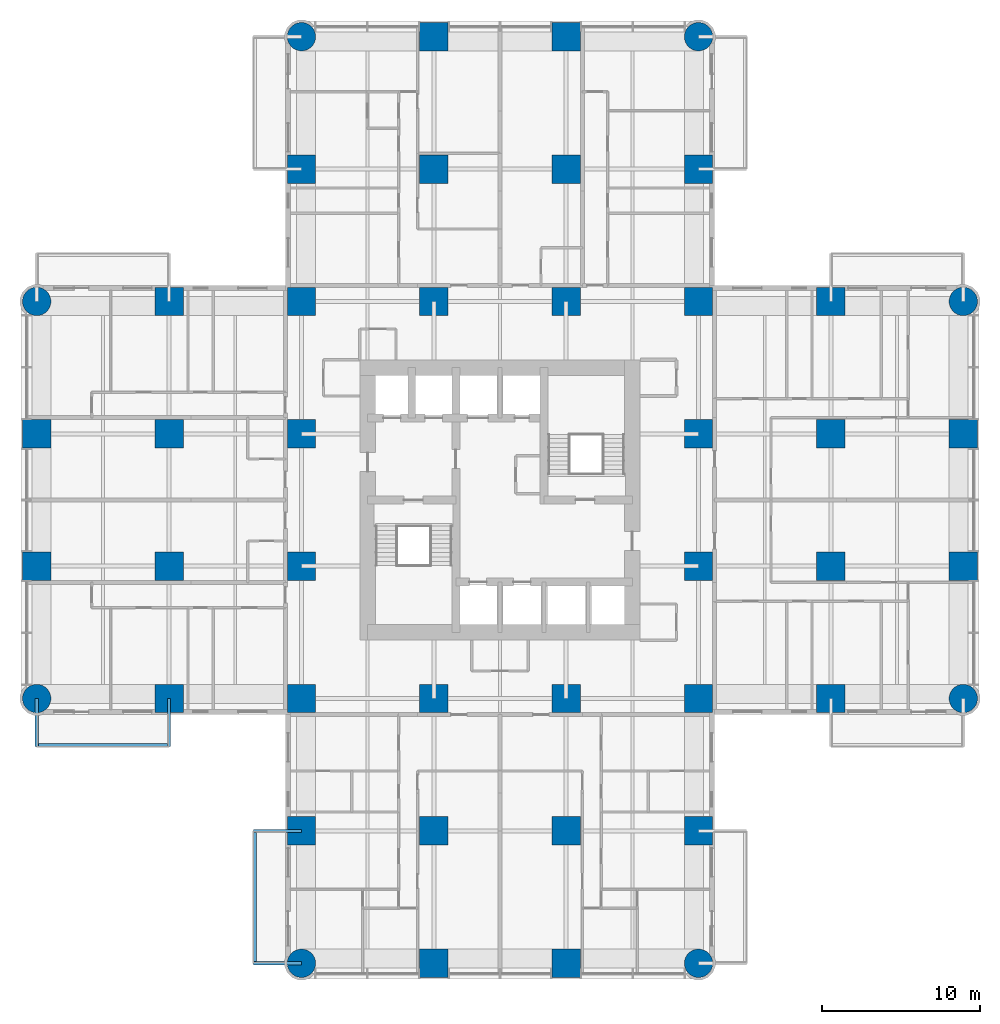
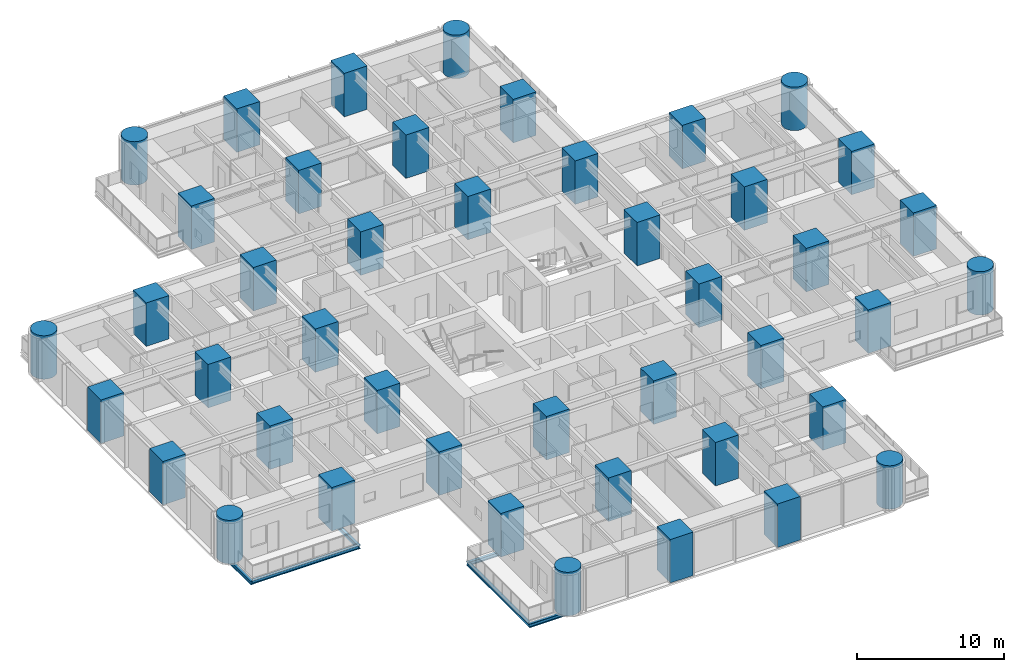
# One storey, part 1 of 17: 44 columns, 6 beams.
"""IFC4 building model written with IfcOpenShell, lengths in metres."""

from ifc_helpers import new_model, si_unit, direction, frame, origin, origin_2d, place, context, subcontext, project, spatial, rectangle, circle, i_section, extrude, material, material_profile, profile_set, type_object, element, save


model = new_model("IFC4")

# Units and contexts
model_context = context("Model", 3, precision=1e-05, world=origin(), true_north=direction((0.0, 1.0)))
body_context = subcontext(model_context, "Body", "Model", "MODEL_VIEW")
ifc_project = project(units=[si_unit("LENGTHUNIT", "METRE"), si_unit("AREAUNIT", "SQUARE_METRE"), si_unit("VOLUMEUNIT", "CUBIC_METRE"), si_unit("PLANEANGLEUNIT", "RADIAN"), si_unit("MASSUNIT", "GRAM", prefix="KILO")], contexts=[model_context])

# Site, building, storey
site_placement = place(None, origin())
site = spatial("IfcSite", under=ifc_project, at=site_placement, CompositionType="ELEMENT")
building_placement = place(site_placement, origin())
building = spatial("IfcBuilding", under=site, at=building_placement, Name="Torre Alcanfor", CompositionType="ELEMENT")
storey_placement = place(building_placement, frame((0.0, 0.0, 66.89990234375)))
storey = spatial("IfcBuildingStorey", under=building, at=storey_placement, Name="L16", CompositionType="ELEMENT", Elevation=66.89990234375)

# Columns
ifc_material_1 = material(Name="Concrete f'c 70 MPa", Category="concrete")
ifc_material_profile_1 = material_profile(ifc_material_1, rectangle(XDim=1.800048828125, YDim=1.800048828125, at=origin_2d()), Name="1800x1800")
ifc_profile_set_1 = profile_set([ifc_material_profile_1], Name="Concrete f'c 70 MPa")
column_type_1 = type_object("IfcColumnType", Name="RC column 1800x1800 f'c70", PredefinedType="COLUMN", material=ifc_profile_set_1)
for number, where, z_axis, x_axis, name in (
    (1, (0.0, 25.199951171875, 0.0), (0.0, 0.0, 1.0), (1.0, 0.0, 0.0), "Column 1/F L16"),
    (2, (0.0, 33.60009765625, 0.0), (0.0, 0.0, 1.0), (1.0, 0.0, 0.0), "Column 1/G L16"),
    (3, (8.39990234375, 16.800048828125, 0.0), (0.0, 0.0, 1.0), (1.0, 0.0, 0.0), "Column 2/E L16"),
    (4, (8.39990234375, 25.199951171875, 0.0), (0.0, 0.0, 1.0), (1.0, 0.0, 0.0), "Column 2/F L16"),
    (5, (8.39990234375, 33.60009765625, 0.0), (0.0, 0.0, 1.0), (1.0, 0.0, 0.0), "Column 2/G L16"),
    (6, (8.39990234375, 42.0, 0.0), (0.0, 0.0, 1.0), (1.0, 0.0, 0.0), "Column 2/H L16"),
    (7, (16.800048828125, 8.39990234375, 0.0), (0.0, 0.0, 1.0), (1.0, 0.0, 0.0), "Column 3/D L16"),
    (8, (16.800048828125, 16.800048828125, 0.0), (0.0, 0.0, 1.0), (1.0, 0.0, 0.0), "Column 3/E L16"),
    (9, (16.800048828125, 25.199951171875, 0.0), (0.0, 0.0, 1.0), (1.0, 0.0, 0.0), "Column 3/F L16"),
    (10, (16.800048828125, 33.60009765625, 0.0), (0.0, 0.0, 1.0), (1.0, 0.0, 0.0), "Column 3/G L16"),
    (11, (16.800048828125, 42.0, 0.0), (0.0, 0.0, 1.0), (1.0, 0.0, 0.0), "Column 3/H L16"),
    (12, (16.800048828125, 50.39990234375, 0.0), (0.0, 0.0, 1.0), (1.0, 0.0, 0.0), "Column 3/J L16"),
    (13, (25.199951171875, 0.0, 0.0), (0.0, 0.0, 1.0), (1.0, 0.0, 0.0), "Column 4/C L16"),
    (14, (25.199951171875, 8.39990234375, 0.0), (0.0, 0.0, 1.0), (1.0, 0.0, 0.0), "Column 4/D L16"),
    (15, (25.199951171875, 16.800048828125, 0.0), (0.0, 0.0, 1.0), (1.0, 0.0, 0.0), "Column 4/E L16"),
    (16, (25.199951171875, 42.0, 0.0), (0.0, 0.0, 1.0), (1.0, 0.0, 0.0), "Column 4/H L16"),
    (17, (25.199951171875, 50.39990234375, 0.0), (0.0, 0.0, 1.0), (1.0, 0.0, 0.0), "Column 4/J L16"),
    (18, (25.199951171875, 58.800048828125, 0.0), (0.0, 0.0, 1.0), (1.0, 0.0, 0.0), "Column 4/K L16"),
    (19, (33.60009765625, 0.0, 0.0), (0.0, 0.0, 1.0), (1.0, 0.0, 0.0), "Column 5/C L16"),
    (20, (33.60009765625, 8.39990234375, 0.0), (0.0, 0.0, 1.0), (1.0, 0.0, 0.0), "Column 5/D L16"),
    (21, (33.60009765625, 16.800048828125, 0.0), (0.0, 0.0, 1.0), (1.0, 0.0, 0.0), "Column 5/E L16"),
    (22, (33.60009765625, 42.0, 0.0), (0.0, 0.0, 1.0), (1.0, 0.0, 0.0), "Column 5/H L16"),
    (23, (33.60009765625, 50.39990234375, 0.0), (0.0, 0.0, 1.0), (1.0, 0.0, 0.0), "Column 5/J L16"),
    (24, (33.60009765625, 58.800048828125, 0.0), (0.0, 0.0, 1.0), (1.0, 0.0, 0.0), "Column 5/K L16"),
    (25, (42.0, 8.39990234375, 0.0), (0.0, 0.0, 1.0), (1.0, 0.0, 0.0), "Column 6/D L16"),
    (26, (42.0, 16.800048828125, 0.0), (0.0, 0.0, 1.0), (1.0, 0.0, 0.0), "Column 6/E L16"),
    (27, (42.0, 25.199951171875, 0.0), (0.0, 0.0, 1.0), (1.0, 0.0, 0.0), "Column 6/F L16"),
    (28, (42.0, 33.60009765625, 0.0), (0.0, 0.0, 1.0), (1.0, 0.0, 0.0), "Column 6/G L16"),
    (29, (42.0, 42.0, 0.0), (0.0, 0.0, 1.0), (1.0, 0.0, 0.0), "Column 6/H L16"),
    (30, (42.0, 50.39990234375, 0.0), (0.0, 0.0, 1.0), (1.0, 0.0, 0.0), "Column 6/J L16"),
    (31, (50.39990234375, 16.800048828125, 0.0), (0.0, 0.0, 1.0), (1.0, 0.0, 0.0), "Column 7/E L16"),
    (32, (50.39990234375, 25.199951171875, 0.0), (0.0, 0.0, 1.0), (1.0, 0.0, 0.0), "Column 7/F L16"),
    (33, (50.39990234375, 33.60009765625, 0.0), (0.0, 0.0, 1.0), (1.0, 0.0, 0.0), "Column 7/G L16"),
    (34, (50.39990234375, 42.0, 0.0), (0.0, 0.0, 1.0), (1.0, 0.0, 0.0), "Column 7/H L16"),
    (35, (58.800048828125, 25.199951171875, 0.0), (0.0, 0.0, 1.0), (1.0, 0.0, 0.0), "Column 8/F L16"),
    (36, (58.800048828125, 33.60009765625, 0.0), (0.0, 0.0, 1.0), (1.0, 0.0, 0.0), "Column 8/G L16"),
):
    element("IfcColumn", number, at=place(storey_placement, frame(where, z_axis=z_axis, x_axis=x_axis)), inside=storey, type_object=column_type_1, Name=name, PredefinedType="COLUMN", context=body_context, shape_type="SweptSolid", body=[
        extrude(rectangle(XDim=1.800048828125, YDim=1.800048828125, at=origin_2d()), origin(), (0.0, 0.0, 1.0), 3.60009765625),
    ])
ifc_material_2 = material(Name="Concrete f'c 70 MPa", Category="concrete")
ifc_material_profile_2 = material_profile(ifc_material_2, circle(Radius=0.89990234375, at=origin_2d()), Name="D1800")
ifc_profile_set_2 = profile_set([ifc_material_profile_2], Name="Concrete f'c 70 MPa")
column_type_2 = type_object("IfcColumnType", Name="RC column D1800 f'c70", PredefinedType="COLUMN", material=ifc_profile_set_2)
for number, where, z_axis, x_axis, name in (
    (37, (0.0, 16.800048828125, 0.0), (0.0, 0.0, 1.0), (1.0, 0.0, 0.0), "Column 1/E L16"),
    (38, (0.0, 42.0, 0.0), (0.0, 0.0, 1.0), (1.0, 0.0, 0.0), "Column 1/H L16"),
    (39, (16.800048828125, 0.0, 0.0), (0.0, 0.0, 1.0), (1.0, 0.0, 0.0), "Column 3/C L16"),
    (40, (16.800048828125, 58.800048828125, 0.0), (0.0, 0.0, 1.0), (1.0, 0.0, 0.0), "Column 3/K L16"),
    (41, (42.0, 0.0, 0.0), (0.0, 0.0, 1.0), (1.0, 0.0, 0.0), "Column 6/C L16"),
    (42, (42.0, 58.800048828125, 0.0), (0.0, 0.0, 1.0), (1.0, 0.0, 0.0), "Column 6/K L16"),
    (43, (58.800048828125, 16.800048828125, 0.0), (0.0, 0.0, 1.0), (1.0, 0.0, 0.0), "Column 8/E L16"),
    (44, (58.800048828125, 42.0, 0.0), (0.0, 0.0, 1.0), (1.0, 0.0, 0.0), "Column 8/H L16"),
):
    element("IfcColumn", number, at=place(storey_placement, frame(where, z_axis=z_axis, x_axis=x_axis)), inside=storey, type_object=column_type_2, Name=name, PredefinedType="COLUMN", context=body_context, shape_type="SweptSolid", body=[
        extrude(circle(Radius=0.89990234375, at=origin_2d()), origin(), (0.0, 0.0, 1.0), 3.60009765625),
    ])

# Beams
ifc_material_3 = material(Name="Steel ASTM A992 Grade 50", Category="steel")
ifc_material_profile_3 = material_profile(ifc_material_3, i_section(OverallWidth=0.205322265625, OverallDepth=0.309814453125, WebThickness=0.00927734375, FlangeThickness=0.016357421875, at=origin_2d()), Name="W12x50")
ifc_profile_set_3 = profile_set([ifc_material_profile_3], Name="Steel ASTM A992 Grade 50")
beam_type_1 = type_object("IfcBeamType", Name="Balcony cantilever beam W12x50", PredefinedType="BEAM", material=ifc_profile_set_3)
for number, where, z_axis, x_axis, name in (
    (45, (16.800048828125, 8.39990234375, -0.354736328125), (-1.0, 0.0, 0.0), (0.0, -1.0, 0.0), "Balcony cantilever beam L16-S2 1"),
    (46, (16.800048828125, 0.0, -0.354736328125), (-1.0, 0.0, 0.0), (0.0, -1.0, 0.0), "Balcony cantilever beam L16-S2 2"),
    (47, (8.39990234375, 16.800048828125, -0.354736328125), (0.0, -1.0, 0.0), (1.0, 0.0, 0.0), "Balcony cantilever beam L16-W1 1"),
    (48, (0.0, 16.800048828125, -0.354736328125), (0.0, -1.0, 0.0), (1.0, 0.0, 0.0), "Balcony cantilever beam L16-W1 2"),
):
    element("IfcBeam", number, at=place(storey_placement, frame(where, z_axis=z_axis, x_axis=x_axis)), inside=storey, type_object=beam_type_1, Name=name, PredefinedType="BEAM", context=body_context, shape_type="SweptSolid", body=[
        extrude(i_section(OverallWidth=0.205322265625, OverallDepth=0.309814453125, WebThickness=0.00927734375, FlangeThickness=0.016357421875, at=origin_2d()), origin(), (0.0, 0.0, 1.0), 3.050048828125),
    ])
ifc_material_4 = material(Name="Steel ASTM A992 Grade 50", Category="steel")
ifc_material_profile_4 = material_profile(ifc_material_4, i_section(OverallWidth=0.203369140625, OverallDepth=0.30224609375, WebThickness=0.007568359375, FlangeThickness=0.01318359375, at=origin_2d()), Name="W12x40")
ifc_profile_set_4 = profile_set([ifc_material_profile_4], Name="Steel ASTM A992 Grade 50")
beam_type_2 = type_object("IfcBeamType", Name="Balcony edge trimmer W12x40", PredefinedType="BEAM", material=ifc_profile_set_4)
for number, where, z_axis, x_axis, name in (
    (49, (13.851806640625, 8.39990234375, -0.35107421875), (0.0, -1.0, 0.0), (1.0, 0.0, 0.0), "Balcony edge trimmer L16-S2"),
    (50, (8.39990234375, 13.851806640625, -0.35107421875), (-1.0, 0.0, 0.0), (0.0, -1.0, 0.0), "Balcony edge trimmer L16-W1"),
):
    element("IfcBeam", number, at=place(storey_placement, frame(where, z_axis=z_axis, x_axis=x_axis)), inside=storey, type_object=beam_type_2, Name=name, PredefinedType="BEAM", context=body_context, shape_type="SweptSolid", body=[
        extrude(i_section(OverallWidth=0.203369140625, OverallDepth=0.30224609375, WebThickness=0.007568359375, FlangeThickness=0.01318359375, at=origin_2d()), origin(), (0.0, 0.0, 1.0), 8.39990234375),
    ])

save(model, "model.ifc")
